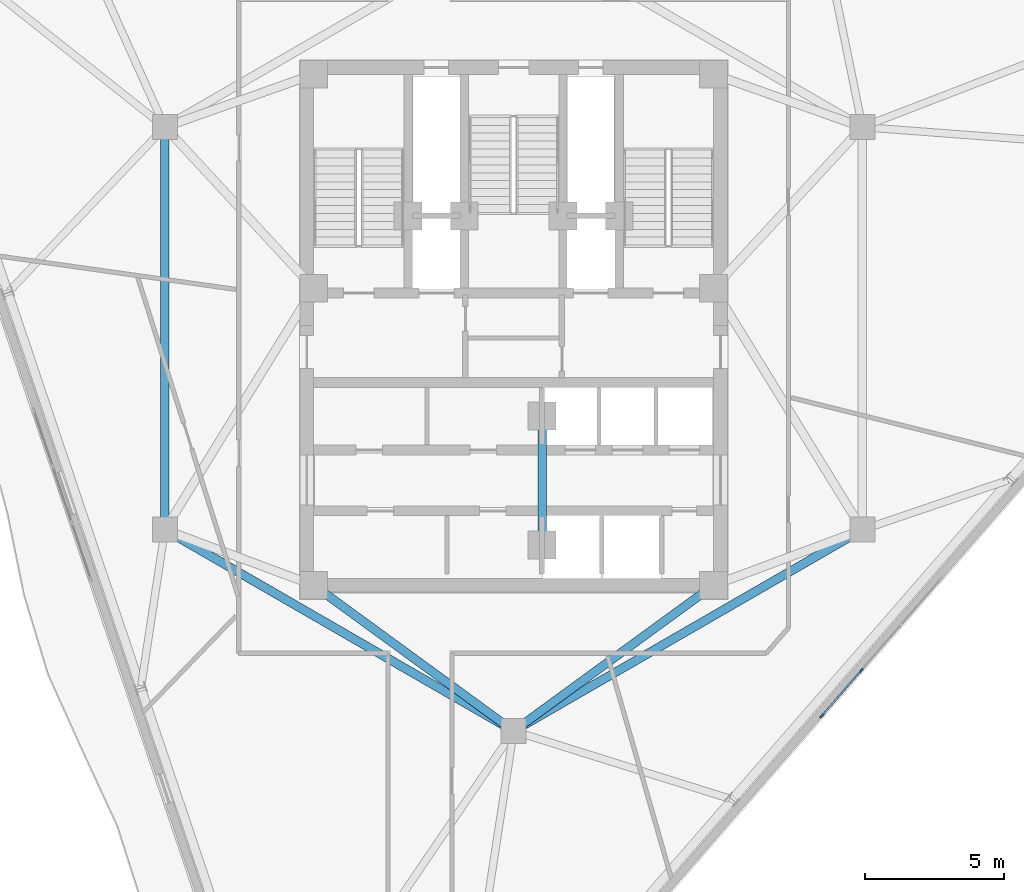
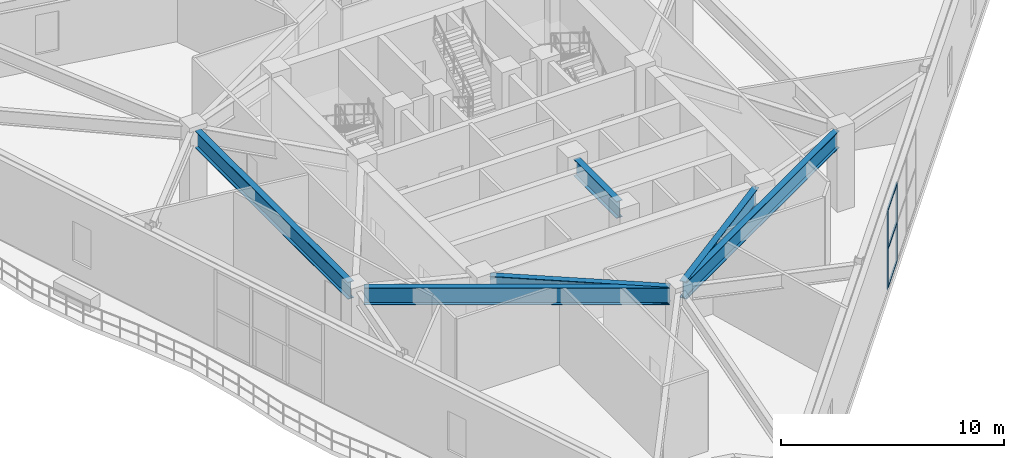
# One storey, part 4 of 15: 6 beams, 5 members, 1 element without a shape of its own.
"""IFC4 building model written with IfcOpenShell, lengths in metres."""

import ifcopenshell
import ifcopenshell.guid

model = None  # the IFC model being written
_history = None  # IfcOwnerHistory: only IFC2X3 demands one
_inside = {}  # id of a spatial element -> (the spatial element, [elements in it])
_under = {}  # id of a project, library or spatial element -> (it, [spatial elements below it])
_declared = {}  # id of a project -> (the project, [libraries it declares])
_typed = {}  # id of a type object -> (the type object, [elements of that type])
_made_of = {}  # id of a material, layer set ... -> (it, [elements and type objects made of it])


def new_model(schema):
    """Start an empty IFC model of exactly this schema.

    Asked for "IFC4X3", IfcOpenShell would pick the latest addendum, in which some entities
    have other attributes; the version numbers below select the first issue.
    IFC2X3 requires an IfcOwnerHistory on every rooted entity: one is made here for all.
    """
    global model, _history
    if schema == "IFC4X3":
        model = ifcopenshell.file(schema_version=(4, 3, 0, 0))
    else:
        model = ifcopenshell.file(schema=schema)
    _inside.clear()
    _under.clear()
    _declared.clear()
    _typed.clear()
    _made_of.clear()
    _history = None
    if model.schema == "IFC2X3":
        org = make("IfcOrganization", Name="unknown")
        user = make(
            "IfcPersonAndOrganization",
            ThePerson=make("IfcPerson", FamilyName="unknown"),
            TheOrganization=org,
        )
        app = make(
            "IfcApplication",
            ApplicationDeveloper=org,
            Version="unknown",
            ApplicationFullName="unknown",
            ApplicationIdentifier="unknown",
        )
        _history = make(
            "IfcOwnerHistory",
            OwningUser=user,
            OwningApplication=app,
            ChangeAction="ADDED",
            CreationDate=0,
        )
    return model


def make(cls, **values):
    """One entity of the class cls with the attributes given. An attribute that is None is left unset."""
    return model.create_entity(
        cls, **{name: value for name, value in values.items() if value is not None}
    )


def rooted(cls, **values):
    """An entity with a GlobalId (a new one), such as an element, a storey or a relation."""
    return make(cls, GlobalId=ifcopenshell.guid.new(), OwnerHistory=_history, **values)


def si_unit(unit_type, name, prefix=None):
    """IfcSIUnit, for example si_unit("LENGTHUNIT", "METRE", prefix="MILLI")."""
    return make("IfcSIUnit", UnitType=unit_type, Prefix=prefix, Name=name)


def assignment(units):
    """IfcUnitAssignment: the units of a project."""
    return None if units is None else make("IfcUnitAssignment", Units=units)


def point(xyz):
    """IfcCartesianPoint."""
    return None if xyz is None else make("IfcCartesianPoint", Coordinates=xyz)


def direction(xyz):
    """IfcDirection."""
    return None if xyz is None else make("IfcDirection", DirectionRatios=xyz)


def frame(location, z_axis=None, x_axis=None):
    """IfcAxis2Placement3D, a coordinate frame: its origin and axes. An axis left out is left unset."""
    return make(
        "IfcAxis2Placement3D",
        Location=point(location),
        Axis=direction(z_axis),
        RefDirection=direction(x_axis),
    )


def frame_2d(location, x_axis=None):
    """IfcAxis2Placement2D, a coordinate frame in the plane: its origin and x axis."""
    return make(
        "IfcAxis2Placement2D", Location=point(location), RefDirection=direction(x_axis)
    )


def origin():
    """The frame at (0, 0, 0) with its axes left unset."""
    return frame((0.0, 0.0, 0.0))


def origin_2d():
    """The frame at (0, 0) in the plane with its x axis left unset."""
    return frame_2d((0.0, 0.0))


def place(relative_to, where):
    """IfcLocalPlacement: puts the frame where relative to a parent placement (None: the world)."""
    return make(
        "IfcLocalPlacement", PlacementRelTo=relative_to, RelativePlacement=where
    )


def context(
    kind, dimensions, precision=None, world=None, true_north=None, identifier=None
):
    """IfcGeometricRepresentationContext, for example the 3D "Model" context."""
    return make(
        "IfcGeometricRepresentationContext",
        ContextIdentifier=identifier,
        ContextType=kind,
        CoordinateSpaceDimension=dimensions,
        Precision=precision,
        WorldCoordinateSystem=world,
        TrueNorth=true_north,
    )


def subcontext(parent, identifier, kind, view, scale=None):
    """IfcGeometricRepresentationSubContext, for example "Body" below "Model"."""
    return make(
        "IfcGeometricRepresentationSubContext",
        ContextIdentifier=identifier,
        ContextType=kind,
        ParentContext=parent,
        TargetScale=scale,
        TargetView=view,
    )


def project(units=None, contexts=None):
    """IfcProject with its units and contexts."""
    return rooted(
        "IfcProject",
        Name="project",
        RepresentationContexts=contexts,
        UnitsInContext=assignment(units),
    )


def spatial(cls, under=None, at=None, **own):
    """A site, building, storey or space (cls), placed at a placement, below another one or the project."""
    s = rooted(cls, ObjectPlacement=at, **own)
    if under is not None:
        _under.setdefault(under.id(), (under, []))[1].append(s)
    return s


def profile(cls, at=None, kind="AREA", **sizes):
    """A parametric profile (cls). Its sizes go by their IFC names, for example OverallWidth=200.0."""
    return make(cls, ProfileType=kind, Position=at, **sizes)


def rectangle(**sizes):
    """IfcRectangleProfileDef."""
    return profile("IfcRectangleProfileDef", **sizes)


def i_section(**sizes):
    """IfcIShapeProfileDef."""
    return profile("IfcIShapeProfileDef", **sizes)


def extrude(swept, where, along, depth):
    """IfcExtrudedAreaSolid: the profile swept, set in the frame where, extruded along a direction by depth."""
    return make(
        "IfcExtrudedAreaSolid",
        SweptArea=swept,
        Position=where,
        ExtrudedDirection=direction(along),
        Depth=depth,
    )


def shape(context_of_items, identifier, shape_type, items):
    """IfcShapeRepresentation: the items that make up one representation, for example the "Body"."""
    return make(
        "IfcShapeRepresentation",
        ContextOfItems=context_of_items,
        RepresentationIdentifier=identifier,
        RepresentationType=shape_type,
        Items=items,
    )


def material(Name=None, Category=None):
    """IfcMaterial."""
    return make("IfcMaterial", Name=Name, Category=Category)


def layer(
    of_material, thickness, ventilated=None, Name=None, Category=None, Priority=None
):
    """IfcMaterialLayer: one layer of a wall or slab, of a material (None: an air gap)."""
    return make(
        "IfcMaterialLayer",
        Material=of_material,
        LayerThickness=thickness,
        IsVentilated=ventilated,
        Name=Name,
        Category=Category,
        Priority=Priority,
    )


def layer_set(layers, Name=None):
    """IfcMaterialLayerSet."""
    return make("IfcMaterialLayerSet", MaterialLayers=layers, LayerSetName=Name)


def material_profile(
    of_material, cross_section, Name=None, Category=None, Priority=None
):
    """IfcMaterialProfile: a cross section and its material."""
    return make(
        "IfcMaterialProfile",
        Name=Name,
        Material=of_material,
        Profile=cross_section,
        Priority=Priority,
        Category=Category,
    )


def profile_set(profiles, Name=None, composite=None):
    """IfcMaterialProfileSet."""
    return make(
        "IfcMaterialProfileSet",
        Name=Name,
        MaterialProfiles=profiles,
        CompositeProfile=composite,
    )


def made_of(thing, what):
    """Note that an element or type object is made of a material, layer set ...; save() writes the relation."""
    if what is not None:
        _made_of.setdefault(what.id(), (what, []))[1].append(thing)
    return thing


def type_object(cls, material=None, **own):
    """A type object (cls), such as IfcWallType, which elements share."""
    return made_of(rooted(cls, **own), material)


def element(
    cls,
    number,
    at=None,
    inside=None,
    cuts=None,
    type_object=None,
    material=None,
    context=None,
    identifier="Body",
    shape_type=None,
    held_by="IfcProductDefinitionShape",
    body=None,
    shapes=None,
    **own,
):
    """One element of the class cls, such as IfcWall. Its Tag is "e" and its number.

    at: its placement. inside: the storey or other place that contains it. cuts: it is an
    opening in that element (IfcRelVoidsElement). A single representation is given by context,
    identifier, shape_type and body (its items); several are given by shapes. held_by: the class
    of the entity that holds the representations. save() writes the other relations.
    """
    e = rooted(cls, Tag="e%d" % number, ObjectPlacement=at, **own)
    if body is not None:
        shapes = [shape(context, identifier, shape_type, body)]
    if shapes is not None:
        e.Representation = make(held_by, Representations=shapes)
    if inside is not None:
        _inside.setdefault(inside.id(), (inside, []))[1].append(e)
    if cuts is not None:
        rooted(
            "IfcRelVoidsElement", RelatingBuildingElement=cuts, RelatedOpeningElement=e
        )
    if type_object is not None:
        _typed.setdefault(type_object.id(), (type_object, []))[1].append(e)
    return made_of(e, material)


def aggregate(whole, parts):
    """IfcRelAggregates: a whole, such as a stair, and the parts it consists of."""
    return rooted("IfcRelAggregates", RelatingObject=whole, RelatedObjects=parts)


def save(model, path):
    """Write the relations noted so far, then the file.

    IfcRelAggregates (storeys below a building ...), IfcRelContainedInSpatialStructure (elements
    in a storey), IfcRelDefinesByType, IfcRelAssociatesMaterial and IfcRelDeclares: one each for
    every whole, place, type object, material and project.
    """
    for whole, parts in _under.values():
        aggregate(whole, parts)
    for where, things in _inside.values():
        rooted(
            "IfcRelContainedInSpatialStructure",
            RelatedElements=things,
            RelatingStructure=where,
        )
    for kind, things in _typed.values():
        rooted("IfcRelDefinesByType", RelatedObjects=things, RelatingType=kind)
    for what, things in _made_of.values():
        rooted("IfcRelAssociatesMaterial", RelatedObjects=things, RelatingMaterial=what)
    for by, libraries in _declared.values():
        rooted("IfcRelDeclares", RelatingContext=by, RelatedDefinitions=libraries)
    model.write(path)


model = new_model("IFC4")

# Units and contexts
model_context = context("Model", 3, precision=1e-05, world=origin(), true_north=direction((0.0, 1.0)))
body_context = subcontext(model_context, "Body", "Model", "MODEL_VIEW")
ifc_project = project(units=[si_unit("LENGTHUNIT", "METRE"), si_unit("AREAUNIT", "SQUARE_METRE"), si_unit("VOLUMEUNIT", "CUBIC_METRE"), si_unit("PLANEANGLEUNIT", "RADIAN"), si_unit("MASSUNIT", "GRAM", prefix="KILO")], contexts=[model_context])

# Site, building, storey
site_placement = place(None, origin())
site = spatial("IfcSite", under=ifc_project, at=site_placement, CompositionType="ELEMENT")
building_placement = place(site_placement, origin())
building = spatial("IfcBuilding", under=site, at=building_placement, Name="Apsidion Concourse Tower", CompositionType="ELEMENT")
storey_placement = place(building_placement, frame((0.0, 0.0, 260.89990234375)))
storey = spatial("IfcBuildingStorey", under=building, at=storey_placement, Name="L61", CompositionType="ELEMENT", Elevation=260.89990234375)

# Beams
ifc_material_1 = material(Name="Structural steel ASTM A992 Grade 50", Category="steel")
ifc_material_profile_1 = material_profile(ifc_material_1, i_section(OverallWidth=0.31005859375, OverallDepth=0.931884765625, WebThickness=0.02099609375, FlangeThickness=0.034423828125, at=origin_2d()), Name="W36X210")
ifc_profile_set_1 = profile_set([ifc_material_profile_1], Name="Structural steel ASTM A992 Grade 50")
beam_type = type_object("IfcBeamType", Name="BM-G-W36", PredefinedType="USERDEFINED", material=ifc_profile_set_1)
for number, where, z_axis, x_axis, name in (
    (1, (-0.3232421875, -14.264404296875, 3.884033203125), (-0.807993498909, 0.589191399905, 0.0), (-0.589191399905, -0.807993498909, 0.0), "L61 Core Coupling Girder IC6-SC1"),
    (2, (0.3232421875, -14.264404296875, 3.884033203125), (0.807993498909, 0.589191399905, 0.0), (-0.589191399905, 0.807993498909, 0.0), "L61 Core Coupling Girder IC6-SC2"),
):
    element("IfcBeam", number, at=place(storey_placement, frame(where, z_axis=z_axis, x_axis=x_axis)), inside=storey, type_object=beam_type, Name=name, ObjectType="GIRDER", PredefinedType="USERDEFINED", context=body_context, shape_type="SweptSolid", body=[
        extrude(i_section(OverallWidth=0.31005859375, OverallDepth=0.931884765625, WebThickness=0.02099609375, FlangeThickness=0.034423828125, at=origin_2d()), origin(), (0.0, 0.0, 1.0), 8.11083984375),
    ])
beam_1_placement = place(storey_placement, frame((-12.56005859375, -6.85009765625, 3.884033203125), z_axis=(0.0, 1.0, 0.0), x_axis=(-1.0, 0.0, 0.0)))
element("IfcBeam", 3, at=beam_1_placement, inside=storey, type_object=beam_type, Name="L61 Core Coupling Girder IC1-IC5", ObjectType="GIRDER", PredefinedType="USERDEFINED", context=body_context, shape_type="SweptSolid", body=[
    extrude(i_section(OverallWidth=0.31005859375, OverallDepth=0.931884765625, WebThickness=0.02099609375, FlangeThickness=0.034423828125, at=origin_2d()), origin(), (0.0, 0.0, 1.0), 13.7001953125),
])
for number, where, z_axis, x_axis, name in (
    (4, (12.213623046875, -7.449951171875, 3.884033203125), (-0.866070471464, -0.499921932364, 0.0), (0.499921932364, -0.866070471464, 0.0), "L61 Core Coupling Girder IC2-IC6"),
    (5, (-0.346435546875, -14.300048828125, 3.884033203125), (-0.866070471464, 0.499921932364, 0.0), (-0.499921932364, -0.866070471464, 0.0), "L61 Core Coupling Girder IC6-IC1"),
):
    element("IfcBeam", number, at=place(storey_placement, frame(where, z_axis=z_axis, x_axis=x_axis)), inside=storey, type_object=beam_type, Name=name, ObjectType="GIRDER", PredefinedType="USERDEFINED", context=body_context, shape_type="SweptSolid", body=[
        extrude(i_section(OverallWidth=0.31005859375, OverallDepth=0.931884765625, WebThickness=0.02099609375, FlangeThickness=0.034423828125, at=origin_2d()), origin(), (0.0, 0.0, 1.0), 13.702392578125),
    ])
beam_2_placement = place(storey_placement, frame((1.02490234375, -3.550048828125, 3.884033203125), z_axis=(0.0, -1.0, 0.0), x_axis=(1.0, 0.0, 0.0)))
element("IfcBeam", 6, at=beam_2_placement, inside=storey, type_object=beam_type, Name="L61 Core Coupling Girder CC5-CC6", ObjectType="GIRDER", PredefinedType="USERDEFINED", context=body_context, shape_type="SweptSolid", body=[
    extrude(i_section(OverallWidth=0.31005859375, OverallDepth=0.931884765625, WebThickness=0.02099609375, FlangeThickness=0.034423828125, at=origin_2d()), origin(), (0.0, 0.0, 1.0), 3.849853515625),
])

# Curtain wall, members
ifc_material_2 = material(Name="Insulated laminated low-E glass", Category="glass")
ifc_layer = layer(ifc_material_2, 0.2099609375)
ifc_layer_set = layer_set([ifc_layer], Name="Insulated laminated low-E glass")
curtain_wall_type = type_object("IfcCurtainWallType", Name="CW-SYS-03", PredefinedType="NOTDEFINED", material=ifc_layer_set)
curtain_wall_placement = place(storey_placement, origin())
curtain_wall = element("IfcCurtainWall", 7, at=curtain_wall_placement, inside=storey, type_object=curtain_wall_type, Name="L61 Sky Lobby Curtain Wall 5", PredefinedType="NOTDEFINED")
ifc_material_3 = material(Name="Anodised aluminium EN AW-6063 T6", Category="aluminium")
ifc_material_profile_2 = material_profile(ifc_material_3, rectangle(XDim=0.06494140625, YDim=0.179931640625, at=origin_2d()), Name="ALU MULLION 65x180")
ifc_profile_set_2 = profile_set([ifc_material_profile_2], Name="Anodised aluminium EN AW-6063 T6")
member_type_1 = type_object("IfcMemberType", Name="CWM-65X180", PredefinedType="MULLION", material=ifc_profile_set_2)
member_1_placement = place(storey_placement, frame((12.51318359375, -12.327392578125, 0.0), z_axis=(0.0, 0.0, 1.0), x_axis=(0.754709784933, -0.656058793498, 0.0)))
member_1 = element("IfcMember", 8, at=member_1_placement, type_object=member_type_1, Name="CW-03 mullion 3", PredefinedType="MULLION", context=body_context, shape_type="SweptSolid", body=[
    extrude(rectangle(XDim=0.06494140625, YDim=0.179931640625, at=origin_2d()), origin(), (0.0, 0.0, 1.0), 4.300048828125),
])
member_2_placement = place(storey_placement, frame((11.0986328125, -13.95458984375, 0.0), z_axis=(0.0, 0.0, 1.0), x_axis=(0.754709784933, -0.656058793498, 0.0)))
member_2 = element("IfcMember", 9, at=member_2_placement, type_object=member_type_1, Name="CW-03 mullion 4", PredefinedType="MULLION", context=body_context, shape_type="SweptSolid", body=[
    extrude(rectangle(XDim=0.06494140625, YDim=0.179931640625, at=origin_2d()), origin(), (0.0, 0.0, 1.0), 4.300048828125),
])
ifc_material_profile_3 = material_profile(ifc_material_3, rectangle(XDim=0.06494140625, YDim=0.139892578125, at=origin_2d()), Name="ALU TRANSOM 65x140")
ifc_profile_set_3 = profile_set([ifc_material_profile_3], Name="Anodised aluminium EN AW-6063 T6")
member_type_2 = type_object("IfcMemberType", Name="CWT-65X140", PredefinedType="USERDEFINED", material=ifc_profile_set_3)
member_3_placement = place(storey_placement, frame((12.49169921875, -12.351806640625, 0.03271484375), z_axis=(-0.656054408806, -0.754713596463, 0.0), x_axis=(0.754713596463, -0.656054408806, 0.0)))
member_3 = element("IfcMember", 10, at=member_3_placement, type_object=member_type_2, Name="CW-03 transom 3.1", ObjectType="TRANSOM", PredefinedType="USERDEFINED", context=body_context, shape_type="SweptSolid", body=[
    extrude(rectangle(XDim=0.06494140625, YDim=0.139892578125, at=origin_2d()), origin(), (0.0, 0.0, 1.0), 2.091064453125),
])
member_4_placement = place(storey_placement, frame((12.49169921875, -12.351806640625, 2.150146484375), z_axis=(-0.656054408806, -0.754713596463, 0.0), x_axis=(0.754713596463, -0.656054408806, 0.0)))
member_4 = element("IfcMember", 11, at=member_4_placement, type_object=member_type_2, Name="CW-03 transom 3.2", ObjectType="TRANSOM", PredefinedType="USERDEFINED", context=body_context, shape_type="SweptSolid", body=[
    extrude(rectangle(XDim=0.06494140625, YDim=0.139892578125, at=origin_2d()), origin(), (0.0, 0.0, 1.0), 2.091064453125),
])
member_5_placement = place(storey_placement, frame((12.49169921875, -12.351806640625, 4.267578125), z_axis=(-0.656054408806, -0.754713596463, 0.0), x_axis=(0.754713596463, -0.656054408806, 0.0)))
member_5 = element("IfcMember", 12, at=member_5_placement, type_object=member_type_2, Name="CW-03 transom 3.3", ObjectType="TRANSOM", PredefinedType="USERDEFINED", context=body_context, shape_type="SweptSolid", body=[
    extrude(rectangle(XDim=0.06494140625, YDim=0.139892578125, at=origin_2d()), origin(), (0.0, 0.0, 1.0), 2.091064453125),
])
aggregate(curtain_wall, [member_1, member_2, member_3, member_4, member_5])

save(model, "model.ifc")
